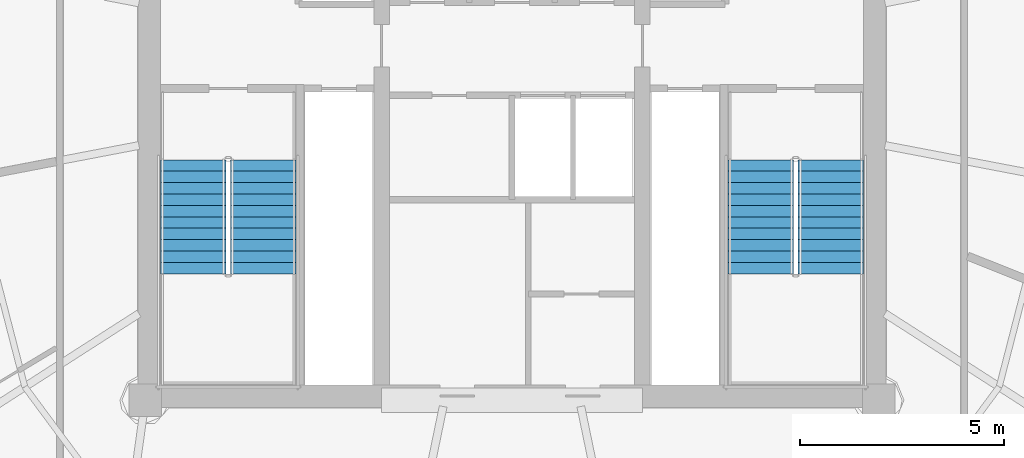
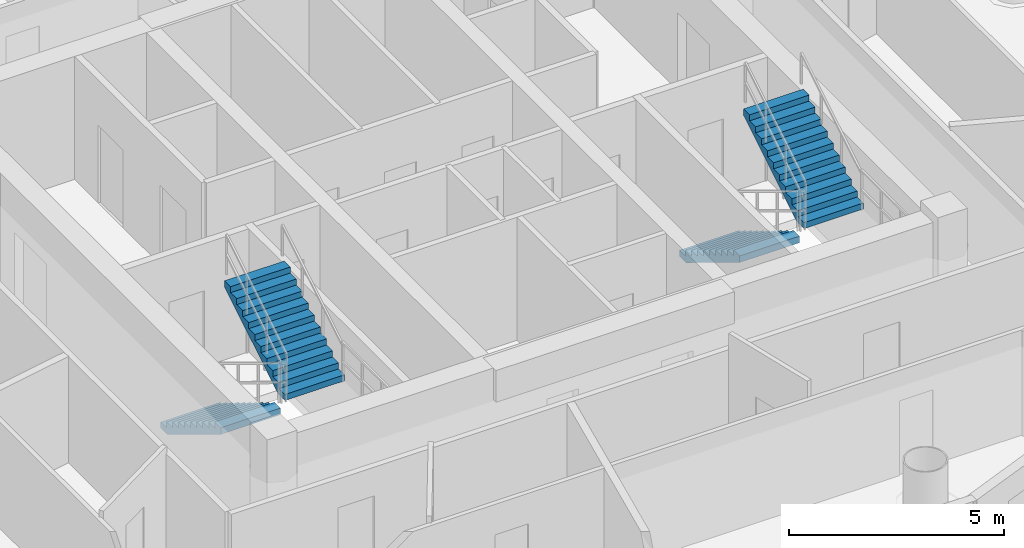
# One storey, part 20 of 23: 4 stair flights, 2 elements without a shape of their own.
"""IFC4 building model written with IfcOpenShell, lengths in metres."""

from ifc_helpers import new_model, si_unit, direction, frame, origin, place, context, subcontext, project, spatial, polyline, outline, extrude, material, type_object, element, aggregate, save


model = new_model("IFC4")

# Units and contexts
model_context = context("Model", 3, precision=1e-05, world=origin(), true_north=direction((-0.2419218956, 0.970295726276)))
body_context = subcontext(model_context, "Body", "Model", "MODEL_VIEW")
ifc_project = project(units=[si_unit("LENGTHUNIT", "METRE"), si_unit("AREAUNIT", "SQUARE_METRE"), si_unit("VOLUMEUNIT", "CUBIC_METRE"), si_unit("PLANEANGLEUNIT", "RADIAN"), si_unit("MASSUNIT", "GRAM", prefix="KILO")], contexts=[model_context])

# Site, building, storey
site_placement = place(None, origin())
site = spatial("IfcSite", under=ifc_project, at=site_placement, CompositionType="ELEMENT")
building_placement = place(site_placement, origin())
building = spatial("IfcBuilding", under=site, at=building_placement, Name="Cobrevalo Terracotta Tower", CompositionType="ELEMENT")
storey_placement = place(building_placement, frame((0.0, 0.0, 251.949951171875)))
storey = spatial("IfcBuildingStorey", under=building, at=storey_placement, Name="L66", CompositionType="ELEMENT", Elevation=251.949951171875)

# Stair, stair flights
ifc_material = material(Name="Concrete C50", Category="concrete")
stair_type = type_object("IfcStairType", Name="Core protected escape dogleg stair 1600", PredefinedType="HALF_TURN_STAIR", material=ifc_material)
stair_1_placement = place(storey_placement, origin())
stair_1 = element("IfcStair", 1, at=stair_1_placement, inside=storey, type_object=stair_type, Name="L66 Protected exit stair ST-1", PredefinedType="HALF_TURN_STAIR")
stair_flight_type = type_object("IfcStairFlightType", Name="Core protected escape dogleg stair 1600 flight", PredefinedType="STRAIGHT", material=ifc_material)
stair_flight_1_placement = place(storey_placement, frame((30.175048828125, 24.699951171875, 0.0), z_axis=(0.0, 0.0, 1.0), x_axis=(0.0, -1.0, 0.0)))
stair_flight_1 = element("IfcStairFlight", 2, at=stair_flight_1_placement, type_object=stair_flight_type, Name="ST-1 flight 1", NumberOfRisers=11, NumberOfTreads=10, PredefinedType="STRAIGHT", RiserHeight=0.170454545, TreadLength=0.28, context=body_context, shape_type="SweptSolid", body=[
    extrude(outline(polyline([(0.0, 0.0), (0.0, 0.17041015625), (0.280029296875, 0.17041015625), (0.280029296875, 0.3408203125), (0.56005859375, 0.3408203125), (0.56005859375, 0.511474609375), (0.840087890625, 0.511474609375), (0.840087890625, 0.681884765625), (1.1201171875, 0.681884765625), (1.1201171875, 0.852294921875), (1.39990234375, 0.852294921875), (1.39990234375, 1.022705078125), (1.679931640625, 1.022705078125), (1.679931640625, 1.193115234375), (1.9599609375, 1.193115234375), (1.9599609375, 1.363525390625), (2.239990234375, 1.363525390625), (2.239990234375, 1.5341796875), (2.52001953125, 1.5341796875), (2.52001953125, 1.70458984375), (2.800048828125, 1.70458984375), (2.800048828125, 1.875), (2.800048828125, 1.517333984375), (0.3076171875, 0.0), (0.0, 0.0)])), frame((0.0, 0.800048828125, 0.0), z_axis=(0.0, -1.0, 0.0), x_axis=(1.0, 0.0, 0.0)), (0.0, 0.0, 1.0), 1.60009765625),
])
stair_flight_2_placement = place(storey_placement, frame((31.89501953125, 21.89990234375, 1.875), z_axis=(0.0, 0.0, 1.0), x_axis=(0.0, 1.0, 0.0)))
stair_flight_2 = element("IfcStairFlight", 3, at=stair_flight_2_placement, type_object=stair_flight_type, Name="ST-1 flight 2", NumberOfRisers=11, NumberOfTreads=10, PredefinedType="STRAIGHT", RiserHeight=0.170454545, TreadLength=0.28, context=body_context, shape_type="SweptSolid", body=[
    extrude(outline(polyline([(0.0, 0.0), (0.0, 0.17041015625), (0.280029296875, 0.17041015625), (0.280029296875, 0.3408203125), (0.56005859375, 0.3408203125), (0.56005859375, 0.511474609375), (0.840087890625, 0.511474609375), (0.840087890625, 0.681884765625), (1.1201171875, 0.681884765625), (1.1201171875, 0.852294921875), (1.39990234375, 0.852294921875), (1.39990234375, 1.022705078125), (1.679931640625, 1.022705078125), (1.679931640625, 1.193115234375), (1.9599609375, 1.193115234375), (1.9599609375, 1.363525390625), (2.239990234375, 1.363525390625), (2.239990234375, 1.5341796875), (2.52001953125, 1.5341796875), (2.52001953125, 1.70458984375), (2.800048828125, 1.70458984375), (2.800048828125, 1.875), (2.800048828125, 1.517333984375), (0.3076171875, 0.0), (0.0, 0.0)])), frame((0.0, 0.800048828125, 0.0), z_axis=(0.0, -1.0, 0.0), x_axis=(1.0, 0.0, 0.0)), (0.0, 0.0, 1.0), 1.60009765625),
])
aggregate(stair_1, [stair_flight_1, stair_flight_2])

stair_2_placement = place(storey_placement, origin())
stair_2 = element("IfcStair", 4, at=stair_2_placement, inside=storey, type_object=stair_type, Name="L66 Protected exit stair ST-2", PredefinedType="HALF_TURN_STAIR")
stair_flight_3_placement = place(storey_placement, frame((44.10498046875, 24.699951171875, 0.0), z_axis=(0.0, 0.0, 1.0), x_axis=(0.0, -1.0, 0.0)))
stair_flight_3 = element("IfcStairFlight", 5, at=stair_flight_3_placement, type_object=stair_flight_type, Name="ST-2 flight 1", NumberOfRisers=11, NumberOfTreads=10, PredefinedType="STRAIGHT", RiserHeight=0.170454545, TreadLength=0.28, context=body_context, shape_type="SweptSolid", body=[
    extrude(outline(polyline([(0.0, 0.0), (0.0, 0.17041015625), (0.280029296875, 0.17041015625), (0.280029296875, 0.3408203125), (0.56005859375, 0.3408203125), (0.56005859375, 0.511474609375), (0.840087890625, 0.511474609375), (0.840087890625, 0.681884765625), (1.1201171875, 0.681884765625), (1.1201171875, 0.852294921875), (1.39990234375, 0.852294921875), (1.39990234375, 1.022705078125), (1.679931640625, 1.022705078125), (1.679931640625, 1.193115234375), (1.9599609375, 1.193115234375), (1.9599609375, 1.363525390625), (2.239990234375, 1.363525390625), (2.239990234375, 1.5341796875), (2.52001953125, 1.5341796875), (2.52001953125, 1.70458984375), (2.800048828125, 1.70458984375), (2.800048828125, 1.875), (2.800048828125, 1.517333984375), (0.3076171875, 0.0), (0.0, 0.0)])), frame((0.0, 0.800048828125, 0.0), z_axis=(0.0, -1.0, 0.0), x_axis=(1.0, 0.0, 0.0)), (0.0, 0.0, 1.0), 1.60009765625),
])
stair_flight_4_placement = place(storey_placement, frame((45.824951171875, 21.89990234375, 1.875), z_axis=(0.0, 0.0, 1.0), x_axis=(0.0, 1.0, 0.0)))
stair_flight_4 = element("IfcStairFlight", 6, at=stair_flight_4_placement, type_object=stair_flight_type, Name="ST-2 flight 2", NumberOfRisers=11, NumberOfTreads=10, PredefinedType="STRAIGHT", RiserHeight=0.170454545, TreadLength=0.28, context=body_context, shape_type="SweptSolid", body=[
    extrude(outline(polyline([(0.0, 0.0), (0.0, 0.17041015625), (0.280029296875, 0.17041015625), (0.280029296875, 0.3408203125), (0.56005859375, 0.3408203125), (0.56005859375, 0.511474609375), (0.840087890625, 0.511474609375), (0.840087890625, 0.681884765625), (1.1201171875, 0.681884765625), (1.1201171875, 0.852294921875), (1.39990234375, 0.852294921875), (1.39990234375, 1.022705078125), (1.679931640625, 1.022705078125), (1.679931640625, 1.193115234375), (1.9599609375, 1.193115234375), (1.9599609375, 1.363525390625), (2.239990234375, 1.363525390625), (2.239990234375, 1.5341796875), (2.52001953125, 1.5341796875), (2.52001953125, 1.70458984375), (2.800048828125, 1.70458984375), (2.800048828125, 1.875), (2.800048828125, 1.517333984375), (0.3076171875, 0.0), (0.0, 0.0)])), frame((0.0, 0.800048828125, 0.0), z_axis=(0.0, -1.0, 0.0), x_axis=(1.0, 0.0, 0.0)), (0.0, 0.0, 1.0), 1.60009765625),
])
aggregate(stair_2, [stair_flight_3, stair_flight_4])

save(model, "model.ifc")
